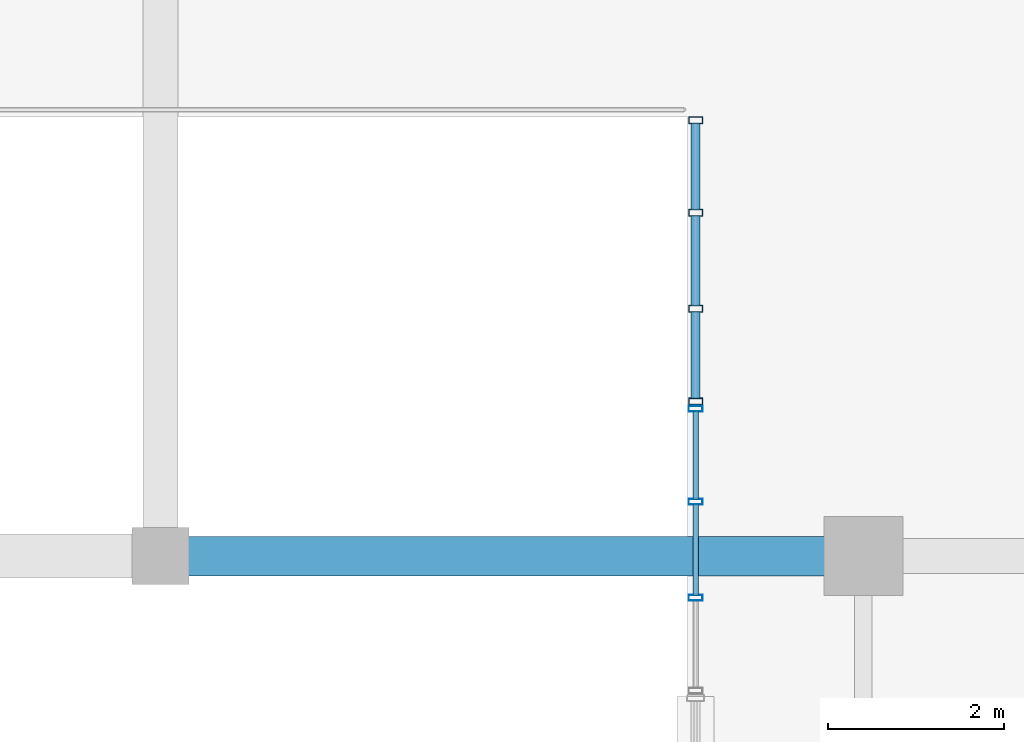
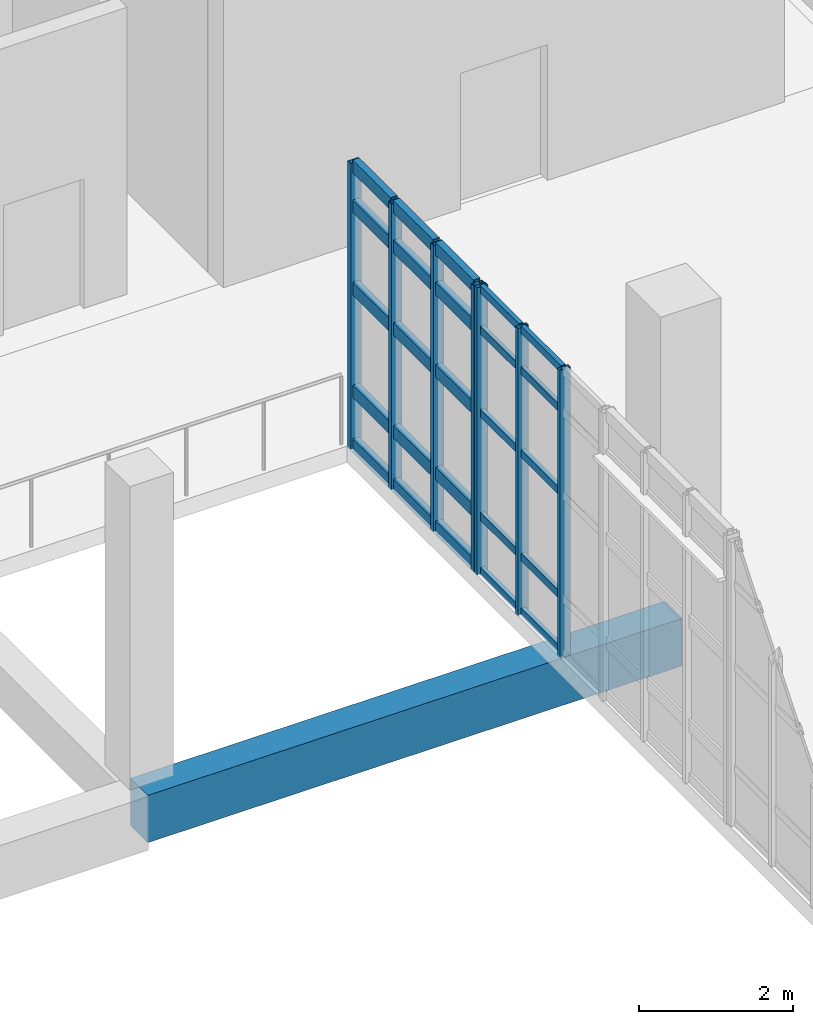
# One storey, part 33 of 102: 32 members, 1 beam, 2 elements without a shape of their own.
"""IFC4 building model written with IfcOpenShell, lengths in metres."""

from ifc_helpers import new_model, si_unit, derived_unit, direction, frame, origin, origin_2d, place, context, subcontext, project, spatial, rectangle, hollow_rectangle, extrude, material, layer, layer_set, material_profile, profile_set, type_object, element, aggregate, save


model = new_model("IFC4")

# Units and contexts
model_context = context("Model", 3, precision=1e-05, world=origin(), true_north=direction((0.0, 1.0)))
body_context = subcontext(model_context, "Body", "Model", "MODEL_VIEW")
ifc_project = project(units=[si_unit("LENGTHUNIT", "METRE"), si_unit("AREAUNIT", "SQUARE_METRE"), si_unit("VOLUMEUNIT", "CUBIC_METRE"), si_unit("PLANEANGLEUNIT", "RADIAN"), si_unit("MASSUNIT", "GRAM", prefix="KILO"), derived_unit("THERMALTRANSMITTANCEUNIT", [(si_unit("POWERUNIT", "WATT"), 1), (si_unit("LENGTHUNIT", "METRE"), -2), (si_unit("THERMODYNAMICTEMPERATUREUNIT", "KELVIN"), -1)])], contexts=[model_context])

# Site, building, storey
site_placement = place(None, origin())
site = spatial("IfcSite", under=ifc_project, at=site_placement, CompositionType="ELEMENT")
building_placement = place(site_placement, origin())
building = spatial("IfcBuilding", under=site, at=building_placement, Name="Nallur Shell Playhouse", CompositionType="ELEMENT")
storey_placement = place(building_placement, frame((0.0, 0.0, 15.0)))
storey = spatial("IfcBuildingStorey", under=building, at=storey_placement, Name="L04", CompositionType="ELEMENT", Elevation=15.0)

# Beam
ifc_material_1 = material(Name="Concrete M35", Category="concrete")
ifc_material_profile_1 = material_profile(ifc_material_1, rectangle(XDim=0.449951171875, YDim=0.75, at=origin_2d()), Name="RC 450x750")
ifc_profile_set_1 = profile_set([ifc_material_profile_1], Name="Concrete M35")
beam_type = type_object("IfcBeamType", Name="BM-RC-450x750", PredefinedType="BEAM", material=ifc_profile_set_1)
beam_placement = place(storey_placement, frame((48.0, 65.0, -0.635009765625), z_axis=(1.0, 0.0, 0.0), x_axis=(0.0, 1.0, 0.0)))
element("IfcBeam", 1, at=beam_placement, inside=storey, type_object=beam_type, Name="L04 girder X-H-798", PredefinedType="BEAM", context=body_context, shape_type="SweptSolid", body=[
    extrude(rectangle(XDim=0.449951171875, YDim=0.75, at=origin_2d()), origin(), (0.0, 0.0, 1.0), 8.0),
])

# Curtain wall, members
ifc_material_2 = material(Name="Anodised Aluminium Double-Glazed Facade System", Category="aluminium")
ifc_layer_1 = layer(ifc_material_2, 0.159912109375)
ifc_layer_set_1 = layer_set([ifc_layer_1], Name="Anodised Aluminium Double-Glazed Facade System")
curtain_wall_type_1 = type_object("IfcCurtainWallType", Name="CW-UNIT-30", PredefinedType="NOTDEFINED", material=ifc_layer_set_1)
curtain_wall_1_placement = place(storey_placement, origin())
curtain_wall_1 = element("IfcCurtainWall", 2, at=curtain_wall_1_placement, inside=storey, type_object=curtain_wall_type_1, Name="Unitised curtain wall CW-158 (L04)", PredefinedType="NOTDEFINED")
ifc_material_3 = material(Name="Aluminium Alloy 6063-T6 Mullion", Category="aluminium")
ifc_material_profile_2 = material_profile(ifc_material_3, hollow_rectangle(XDim=0.080078125, YDim=0.159912109375, WallThickness=0.006103515625, at=origin_2d()), Name="RHS 160x80x6")
ifc_profile_set_2 = profile_set([ifc_material_profile_2], Name="Aluminium Alloy 6063-T6 Mullion")
member_type_1 = type_object("IfcMemberType", Name="MB-CW-MUL150", PredefinedType="MULLION", material=ifc_profile_set_2)
member_1_placement = place(storey_placement, frame((54.090087890625, 66.75927734375, -0.014892578125), z_axis=(0.0, 0.0, 1.0), x_axis=(0.0, 1.0, 0.0)))
member_1 = element("IfcMember", 3, at=member_1_placement, type_object=member_type_1, Name="CW-30 mullion 1", PredefinedType="MULLION", context=body_context, shape_type="SweptSolid", body=[
    extrude(hollow_rectangle(XDim=0.080078125, YDim=0.159912109375, WallThickness=0.006103515625, at=origin_2d()), origin(), (0.0, 0.0, 1.0), 4.52880859375),
])
member_2_placement = place(storey_placement, frame((54.090087890625, 67.81298828125, -0.014892578125), z_axis=(0.0, 0.0, 1.0), x_axis=(0.0, 1.0, 0.0)))
member_2 = element("IfcMember", 4, at=member_2_placement, type_object=member_type_1, Name="CW-30 mullion 2", PredefinedType="MULLION", context=body_context, shape_type="SweptSolid", body=[
    extrude(hollow_rectangle(XDim=0.080078125, YDim=0.159912109375, WallThickness=0.006103515625, at=origin_2d()), origin(), (0.0, 0.0, 1.0), 4.52880859375),
])
member_3_placement = place(storey_placement, frame((54.090087890625, 68.906494140625, -0.014892578125), z_axis=(0.0, 0.0, 1.0), x_axis=(0.0, 1.0, 0.0)))
member_3 = element("IfcMember", 5, at=member_3_placement, type_object=member_type_1, Name="CW-30 mullion 3", PredefinedType="MULLION", context=body_context, shape_type="SweptSolid", body=[
    extrude(hollow_rectangle(XDim=0.080078125, YDim=0.159912109375, WallThickness=0.006103515625, at=origin_2d()), origin(), (0.0, 0.0, 1.0), 4.52880859375),
])
member_4_placement = place(storey_placement, frame((54.090087890625, 69.9599609375, -0.014892578125), z_axis=(0.0, 0.0, 1.0), x_axis=(0.0, 1.0, 0.0)))
member_4 = element("IfcMember", 6, at=member_4_placement, type_object=member_type_1, Name="CW-30 mullion 4", PredefinedType="MULLION", context=body_context, shape_type="SweptSolid", body=[
    extrude(hollow_rectangle(XDim=0.080078125, YDim=0.159912109375, WallThickness=0.006103515625, at=origin_2d()), origin(), (0.0, 0.0, 1.0), 4.52880859375),
])

ifc_layer_2 = layer(ifc_material_2, 0.179931640625)
ifc_layer_set_2 = layer_set([ifc_layer_2], Name="Anodised Aluminium Double-Glazed Facade System")
curtain_wall_type_2 = type_object("IfcCurtainWallType", Name="CW-UNIT-29", PredefinedType="NOTDEFINED", material=ifc_layer_set_2)
curtain_wall_2_placement = place(storey_placement, origin())
curtain_wall_2 = element("IfcCurtainWall", 7, at=curtain_wall_2_placement, inside=storey, type_object=curtain_wall_type_2, Name="Unitised curtain wall CW-157 (L04)", PredefinedType="NOTDEFINED")
ifc_material_profile_3 = material_profile(ifc_material_3, hollow_rectangle(XDim=0.06494140625, YDim=0.159912109375, WallThickness=0.00390625, at=origin_2d()), Name="ALU 65x160x4")
ifc_profile_set_3 = profile_set([ifc_material_profile_3], Name="Aluminium Alloy 6063-T6 Mullion")
member_type_2 = type_object("IfcMemberType", Name="MB-CW-MUL160", PredefinedType="MULLION", material=ifc_profile_set_3)
member_5_placement = place(storey_placement, frame((54.090087890625, 64.525390625, -0.014892578125), z_axis=(0.0, 0.0, 1.0), x_axis=(0.0, 1.0, 0.0)))
member_5 = element("IfcMember", 8, at=member_5_placement, type_object=member_type_2, Name="CW-29 mullion 2", PredefinedType="MULLION", context=body_context, shape_type="SweptSolid", body=[
    extrude(hollow_rectangle(XDim=0.06494140625, YDim=0.159912109375, WallThickness=0.00390625, at=origin_2d()), origin(), (0.0, 0.0, 1.0), 4.548828125),
])
member_6_placement = place(storey_placement, frame((54.090087890625, 65.617431640625, -0.014892578125), z_axis=(0.0, 0.0, 1.0), x_axis=(0.0, 1.0, 0.0)))
member_6 = element("IfcMember", 9, at=member_6_placement, type_object=member_type_2, Name="CW-29 mullion 3", PredefinedType="MULLION", context=body_context, shape_type="SweptSolid", body=[
    extrude(hollow_rectangle(XDim=0.06494140625, YDim=0.159912109375, WallThickness=0.00390625, at=origin_2d()), origin(), (0.0, 0.0, 1.0), 4.548828125),
])
member_7_placement = place(storey_placement, frame((54.090087890625, 66.6767578125, -0.014892578125), z_axis=(0.0, 0.0, 1.0), x_axis=(0.0, 1.0, 0.0)))
member_7 = element("IfcMember", 10, at=member_7_placement, type_object=member_type_2, Name="CW-29 mullion 4", PredefinedType="MULLION", context=body_context, shape_type="SweptSolid", body=[
    extrude(hollow_rectangle(XDim=0.06494140625, YDim=0.159912109375, WallThickness=0.00390625, at=origin_2d()), origin(), (0.0, 0.0, 1.0), 4.548828125),
])
ifc_material_4 = material(Name="Aluminium Alloy 6063-T6 Transom", Category="aluminium")
ifc_material_profile_4 = material_profile(ifc_material_4, hollow_rectangle(XDim=0.06494140625, YDim=0.1201171875, WallThickness=0.00390625, at=origin_2d()), Name="ALU 65x120x4")
ifc_profile_set_4 = profile_set([ifc_material_profile_4], Name="Aluminium Alloy 6063-T6 Transom")
member_type_3 = type_object("IfcMemberType", Name="MB-CW-TRN120", PredefinedType="USERDEFINED", material=ifc_profile_set_4)
member_8_placement = place(storey_placement, frame((54.090087890625, 64.550048828125, 0.032470703125), z_axis=(0.0, 1.0, 0.0), x_axis=(-1.0, 0.0, 0.0)))
member_8 = element("IfcMember", 11, at=member_8_placement, type_object=member_type_3, Name="CW-29 transom 2.1", ObjectType="TRANSOM", PredefinedType="USERDEFINED", context=body_context, shape_type="SweptSolid", body=[
    extrude(hollow_rectangle(XDim=0.06494140625, YDim=0.1201171875, WallThickness=0.00390625, at=origin_2d()), origin(), (0.0, 0.0, 1.0), 1.04296875),
])
member_9_placement = place(storey_placement, frame((54.090087890625, 64.550048828125, 0.89990234375), z_axis=(0.0, 1.0, 0.0), x_axis=(-1.0, 0.0, 0.0)))
member_9 = element("IfcMember", 12, at=member_9_placement, type_object=member_type_3, Name="CW-29 transom 2.2", ObjectType="TRANSOM", PredefinedType="USERDEFINED", context=body_context, shape_type="SweptSolid", body=[
    extrude(hollow_rectangle(XDim=0.06494140625, YDim=0.1201171875, WallThickness=0.00390625, at=origin_2d()), origin(), (0.0, 0.0, 1.0), 1.04296875),
])
member_10_placement = place(storey_placement, frame((54.090087890625, 64.550048828125, 2.537109375), z_axis=(0.0, 1.0, 0.0), x_axis=(-1.0, 0.0, 0.0)))
member_10 = element("IfcMember", 13, at=member_10_placement, type_object=member_type_3, Name="CW-29 transom 2.3", ObjectType="TRANSOM", PredefinedType="USERDEFINED", context=body_context, shape_type="SweptSolid", body=[
    extrude(hollow_rectangle(XDim=0.06494140625, YDim=0.1201171875, WallThickness=0.00390625, at=origin_2d()), origin(), (0.0, 0.0, 1.0), 1.04296875),
])
member_11_placement = place(storey_placement, frame((54.090087890625, 64.550048828125, 3.85009765625), z_axis=(0.0, 1.0, 0.0), x_axis=(-1.0, 0.0, 0.0)))
member_11 = element("IfcMember", 14, at=member_11_placement, type_object=member_type_3, Name="CW-29 transom 2.4", ObjectType="TRANSOM", PredefinedType="USERDEFINED", context=body_context, shape_type="SweptSolid", body=[
    extrude(hollow_rectangle(XDim=0.06494140625, YDim=0.1201171875, WallThickness=0.00390625, at=origin_2d()), origin(), (0.0, 0.0, 1.0), 1.04296875),
])
member_12_placement = place(storey_placement, frame((54.090087890625, 64.550048828125, 4.49755859375), z_axis=(0.0, 1.0, 0.0), x_axis=(-1.0, 0.0, 0.0)))
member_12 = element("IfcMember", 15, at=member_12_placement, type_object=member_type_3, Name="CW-29 transom 2.5", ObjectType="TRANSOM", PredefinedType="USERDEFINED", context=body_context, shape_type="SweptSolid", body=[
    extrude(hollow_rectangle(XDim=0.06494140625, YDim=0.1201171875, WallThickness=0.00390625, at=origin_2d()), origin(), (0.0, 0.0, 1.0), 1.04296875),
])
member_13_placement = place(storey_placement, frame((54.090087890625, 65.641845703125, 0.032470703125), z_axis=(0.0, 1.0, 0.0), x_axis=(-1.0, 0.0, 0.0)))
member_13 = element("IfcMember", 16, at=member_13_placement, type_object=member_type_3, Name="CW-29 transom 3.1", ObjectType="TRANSOM", PredefinedType="USERDEFINED", context=body_context, shape_type="SweptSolid", body=[
    extrude(hollow_rectangle(XDim=0.06494140625, YDim=0.1201171875, WallThickness=0.00390625, at=origin_2d()), origin(), (0.0, 0.0, 1.0), 1.010498046875),
])
member_14_placement = place(storey_placement, frame((54.090087890625, 65.641845703125, 0.89990234375), z_axis=(0.0, 1.0, 0.0), x_axis=(-1.0, 0.0, 0.0)))
member_14 = element("IfcMember", 17, at=member_14_placement, type_object=member_type_3, Name="CW-29 transom 3.2", ObjectType="TRANSOM", PredefinedType="USERDEFINED", context=body_context, shape_type="SweptSolid", body=[
    extrude(hollow_rectangle(XDim=0.06494140625, YDim=0.1201171875, WallThickness=0.00390625, at=origin_2d()), origin(), (0.0, 0.0, 1.0), 1.010498046875),
])
member_15_placement = place(storey_placement, frame((54.090087890625, 65.641845703125, 2.537109375), z_axis=(0.0, 1.0, 0.0), x_axis=(-1.0, 0.0, 0.0)))
member_15 = element("IfcMember", 18, at=member_15_placement, type_object=member_type_3, Name="CW-29 transom 3.3", ObjectType="TRANSOM", PredefinedType="USERDEFINED", context=body_context, shape_type="SweptSolid", body=[
    extrude(hollow_rectangle(XDim=0.06494140625, YDim=0.1201171875, WallThickness=0.00390625, at=origin_2d()), origin(), (0.0, 0.0, 1.0), 1.010498046875),
])
member_16_placement = place(storey_placement, frame((54.090087890625, 65.641845703125, 3.85009765625), z_axis=(0.0, 1.0, 0.0), x_axis=(-1.0, 0.0, 0.0)))
member_16 = element("IfcMember", 19, at=member_16_placement, type_object=member_type_3, Name="CW-29 transom 3.4", ObjectType="TRANSOM", PredefinedType="USERDEFINED", context=body_context, shape_type="SweptSolid", body=[
    extrude(hollow_rectangle(XDim=0.06494140625, YDim=0.1201171875, WallThickness=0.00390625, at=origin_2d()), origin(), (0.0, 0.0, 1.0), 1.010498046875),
])
member_17_placement = place(storey_placement, frame((54.090087890625, 65.641845703125, 4.49755859375), z_axis=(0.0, 1.0, 0.0), x_axis=(-1.0, 0.0, 0.0)))
member_17 = element("IfcMember", 20, at=member_17_placement, type_object=member_type_3, Name="CW-29 transom 3.5", ObjectType="TRANSOM", PredefinedType="USERDEFINED", context=body_context, shape_type="SweptSolid", body=[
    extrude(hollow_rectangle(XDim=0.06494140625, YDim=0.1201171875, WallThickness=0.00390625, at=origin_2d()), origin(), (0.0, 0.0, 1.0), 1.010498046875),
])
aggregate(curtain_wall_2, [member_5, member_6, member_7, member_8, member_9, member_10, member_11, member_12, member_13, member_14, member_15, member_16, member_17])

# Member
ifc_material_profile_5 = material_profile(ifc_material_4, hollow_rectangle(XDim=0.10009765625, YDim=0.199951171875, WallThickness=0.008056640625, at=origin_2d()), Name="RHS 200x100x8")
ifc_profile_set_5 = profile_set([ifc_material_profile_5], Name="Aluminium Alloy 6063-T6 Transom")
member_type_4 = type_object("IfcMemberType", Name="MB-CW-TRN140", PredefinedType="USERDEFINED", material=ifc_profile_set_5)
member_18_placement = place(storey_placement, frame((54.090087890625, 66.791259765625, 0.050048828125), z_axis=(0.0, 1.0, 0.0), x_axis=(-1.0, 0.0, 0.0)))
member_18 = element("IfcMember", 21, at=member_18_placement, type_object=member_type_4, Name="CW-30 transom 1.1", ObjectType="TRANSOM", PredefinedType="USERDEFINED", context=body_context, shape_type="SweptSolid", body=[
    extrude(hollow_rectangle(XDim=0.10009765625, YDim=0.199951171875, WallThickness=0.008056640625, at=origin_2d()), origin(), (0.0, 0.0, 1.0), 0.989501953125),
])

member_19_placement = place(storey_placement, frame((54.090087890625, 66.791259765625, 0.89990234375), z_axis=(0.0, 1.0, 0.0), x_axis=(-1.0, 0.0, 0.0)))
member_19 = element("IfcMember", 22, at=member_19_placement, type_object=member_type_4, Name="CW-30 transom 1.2", ObjectType="TRANSOM", PredefinedType="USERDEFINED", context=body_context, shape_type="SweptSolid", body=[
    extrude(hollow_rectangle(XDim=0.10009765625, YDim=0.199951171875, WallThickness=0.008056640625, at=origin_2d()), origin(), (0.0, 0.0, 1.0), 0.989501953125),
])

member_20_placement = place(storey_placement, frame((54.090087890625, 66.791259765625, 2.52587890625), z_axis=(0.0, 1.0, 0.0), x_axis=(-1.0, 0.0, 0.0)))
member_20 = element("IfcMember", 23, at=member_20_placement, type_object=member_type_4, Name="CW-30 transom 1.3", ObjectType="TRANSOM", PredefinedType="USERDEFINED", context=body_context, shape_type="SweptSolid", body=[
    extrude(hollow_rectangle(XDim=0.10009765625, YDim=0.199951171875, WallThickness=0.008056640625, at=origin_2d()), origin(), (0.0, 0.0, 1.0), 0.989501953125),
])

member_21_placement = place(storey_placement, frame((54.090087890625, 66.791259765625, 3.830078125), z_axis=(0.0, 1.0, 0.0), x_axis=(-1.0, 0.0, 0.0)))
member_21 = element("IfcMember", 24, at=member_21_placement, type_object=member_type_4, Name="CW-30 transom 1.4", ObjectType="TRANSOM", PredefinedType="USERDEFINED", context=body_context, shape_type="SweptSolid", body=[
    extrude(hollow_rectangle(XDim=0.10009765625, YDim=0.199951171875, WallThickness=0.008056640625, at=origin_2d()), origin(), (0.0, 0.0, 1.0), 0.989501953125),
])

member_22_placement = place(storey_placement, frame((54.090087890625, 66.791259765625, 4.4599609375), z_axis=(0.0, 1.0, 0.0), x_axis=(-1.0, 0.0, 0.0)))
member_22 = element("IfcMember", 25, at=member_22_placement, type_object=member_type_4, Name="CW-30 transom 1.5", ObjectType="TRANSOM", PredefinedType="USERDEFINED", context=body_context, shape_type="SweptSolid", body=[
    extrude(hollow_rectangle(XDim=0.10009765625, YDim=0.199951171875, WallThickness=0.008056640625, at=origin_2d()), origin(), (0.0, 0.0, 1.0), 0.989501953125),
])

member_23_placement = place(storey_placement, frame((54.090087890625, 67.844970703125, 0.050048828125), z_axis=(0.0, 1.0, 0.0), x_axis=(-1.0, 0.0, 0.0)))
member_23 = element("IfcMember", 26, at=member_23_placement, type_object=member_type_4, Name="CW-30 transom 2.1", ObjectType="TRANSOM", PredefinedType="USERDEFINED", context=body_context, shape_type="SweptSolid", body=[
    extrude(hollow_rectangle(XDim=0.10009765625, YDim=0.199951171875, WallThickness=0.008056640625, at=origin_2d()), origin(), (0.0, 0.0, 1.0), 1.029541015625),
])

member_24_placement = place(storey_placement, frame((54.090087890625, 67.844970703125, 0.89990234375), z_axis=(0.0, 1.0, 0.0), x_axis=(-1.0, 0.0, 0.0)))
member_24 = element("IfcMember", 27, at=member_24_placement, type_object=member_type_4, Name="CW-30 transom 2.2", ObjectType="TRANSOM", PredefinedType="USERDEFINED", context=body_context, shape_type="SweptSolid", body=[
    extrude(hollow_rectangle(XDim=0.10009765625, YDim=0.199951171875, WallThickness=0.008056640625, at=origin_2d()), origin(), (0.0, 0.0, 1.0), 1.029541015625),
])

member_25_placement = place(storey_placement, frame((54.090087890625, 67.844970703125, 2.52587890625), z_axis=(0.0, 1.0, 0.0), x_axis=(-1.0, 0.0, 0.0)))
member_25 = element("IfcMember", 28, at=member_25_placement, type_object=member_type_4, Name="CW-30 transom 2.3", ObjectType="TRANSOM", PredefinedType="USERDEFINED", context=body_context, shape_type="SweptSolid", body=[
    extrude(hollow_rectangle(XDim=0.10009765625, YDim=0.199951171875, WallThickness=0.008056640625, at=origin_2d()), origin(), (0.0, 0.0, 1.0), 1.029541015625),
])

member_26_placement = place(storey_placement, frame((54.090087890625, 67.844970703125, 3.830078125), z_axis=(0.0, 1.0, 0.0), x_axis=(-1.0, 0.0, 0.0)))
member_26 = element("IfcMember", 29, at=member_26_placement, type_object=member_type_4, Name="CW-30 transom 2.4", ObjectType="TRANSOM", PredefinedType="USERDEFINED", context=body_context, shape_type="SweptSolid", body=[
    extrude(hollow_rectangle(XDim=0.10009765625, YDim=0.199951171875, WallThickness=0.008056640625, at=origin_2d()), origin(), (0.0, 0.0, 1.0), 1.029541015625),
])

member_27_placement = place(storey_placement, frame((54.090087890625, 67.844970703125, 4.4599609375), z_axis=(0.0, 1.0, 0.0), x_axis=(-1.0, 0.0, 0.0)))
member_27 = element("IfcMember", 30, at=member_27_placement, type_object=member_type_4, Name="CW-30 transom 2.5", ObjectType="TRANSOM", PredefinedType="USERDEFINED", context=body_context, shape_type="SweptSolid", body=[
    extrude(hollow_rectangle(XDim=0.10009765625, YDim=0.199951171875, WallThickness=0.008056640625, at=origin_2d()), origin(), (0.0, 0.0, 1.0), 1.029541015625),
])

member_28_placement = place(storey_placement, frame((54.090087890625, 68.9384765625, 0.050048828125), z_axis=(0.0, 1.0, 0.0), x_axis=(-1.0, 0.0, 0.0)))
member_28 = element("IfcMember", 31, at=member_28_placement, type_object=member_type_4, Name="CW-30 transom 3.1", ObjectType="TRANSOM", PredefinedType="USERDEFINED", context=body_context, shape_type="SweptSolid", body=[
    extrude(hollow_rectangle(XDim=0.10009765625, YDim=0.199951171875, WallThickness=0.008056640625, at=origin_2d()), origin(), (0.0, 0.0, 1.0), 0.989501953125),
])

member_29_placement = place(storey_placement, frame((54.090087890625, 68.9384765625, 0.89990234375), z_axis=(0.0, 1.0, 0.0), x_axis=(-1.0, 0.0, 0.0)))
member_29 = element("IfcMember", 32, at=member_29_placement, type_object=member_type_4, Name="CW-30 transom 3.2", ObjectType="TRANSOM", PredefinedType="USERDEFINED", context=body_context, shape_type="SweptSolid", body=[
    extrude(hollow_rectangle(XDim=0.10009765625, YDim=0.199951171875, WallThickness=0.008056640625, at=origin_2d()), origin(), (0.0, 0.0, 1.0), 0.989501953125),
])

member_30_placement = place(storey_placement, frame((54.090087890625, 68.9384765625, 2.52587890625), z_axis=(0.0, 1.0, 0.0), x_axis=(-1.0, 0.0, 0.0)))
member_30 = element("IfcMember", 33, at=member_30_placement, type_object=member_type_4, Name="CW-30 transom 3.3", ObjectType="TRANSOM", PredefinedType="USERDEFINED", context=body_context, shape_type="SweptSolid", body=[
    extrude(hollow_rectangle(XDim=0.10009765625, YDim=0.199951171875, WallThickness=0.008056640625, at=origin_2d()), origin(), (0.0, 0.0, 1.0), 0.989501953125),
])

member_31_placement = place(storey_placement, frame((54.090087890625, 68.9384765625, 3.830078125), z_axis=(0.0, 1.0, 0.0), x_axis=(-1.0, 0.0, 0.0)))
member_31 = element("IfcMember", 34, at=member_31_placement, type_object=member_type_4, Name="CW-30 transom 3.4", ObjectType="TRANSOM", PredefinedType="USERDEFINED", context=body_context, shape_type="SweptSolid", body=[
    extrude(hollow_rectangle(XDim=0.10009765625, YDim=0.199951171875, WallThickness=0.008056640625, at=origin_2d()), origin(), (0.0, 0.0, 1.0), 0.989501953125),
])

member_32_placement = place(storey_placement, frame((54.090087890625, 68.9384765625, 4.4599609375), z_axis=(0.0, 1.0, 0.0), x_axis=(-1.0, 0.0, 0.0)))
member_32 = element("IfcMember", 35, at=member_32_placement, type_object=member_type_4, Name="CW-30 transom 3.5", ObjectType="TRANSOM", PredefinedType="USERDEFINED", context=body_context, shape_type="SweptSolid", body=[
    extrude(hollow_rectangle(XDim=0.10009765625, YDim=0.199951171875, WallThickness=0.008056640625, at=origin_2d()), origin(), (0.0, 0.0, 1.0), 0.989501953125),
])

aggregate(curtain_wall_1, [member_1, member_2, member_3, member_4, member_18, member_19, member_20, member_21, member_22, member_23, member_24, member_25, member_26, member_27, member_28, member_29, member_30, member_31, member_32])

save(model, "model.ifc")
